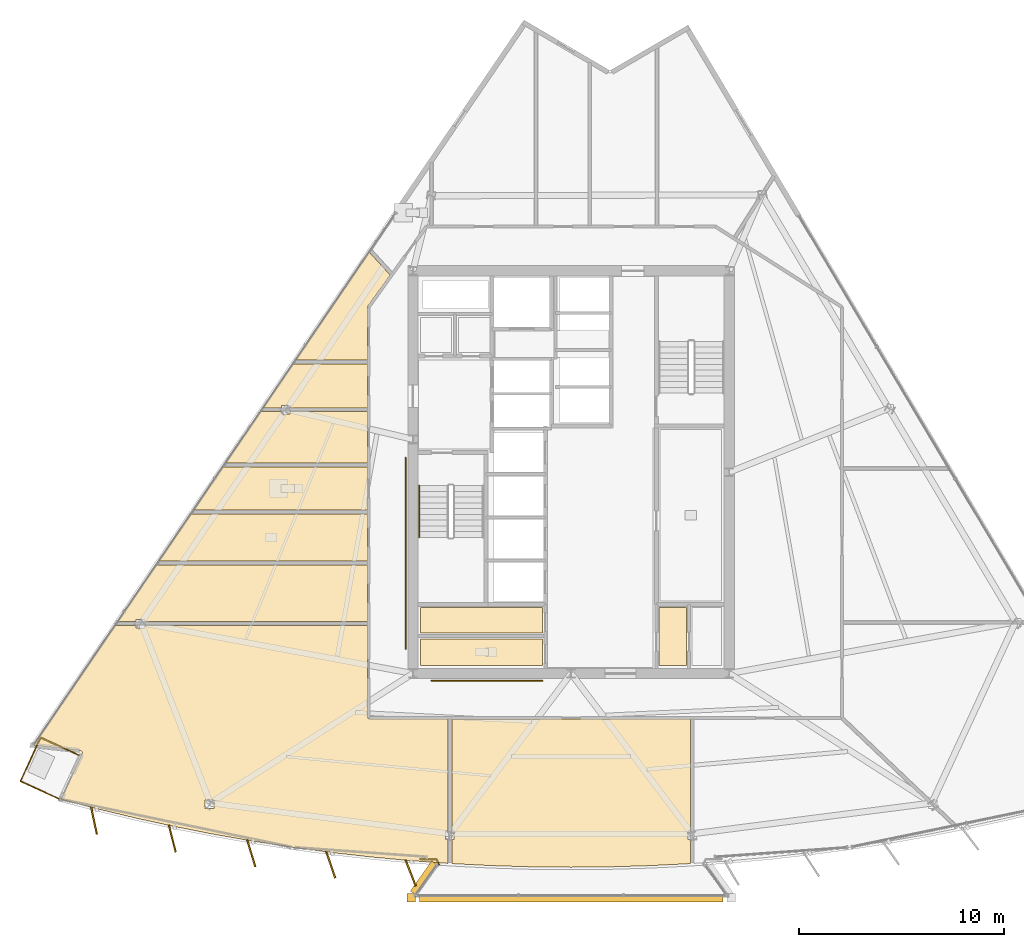
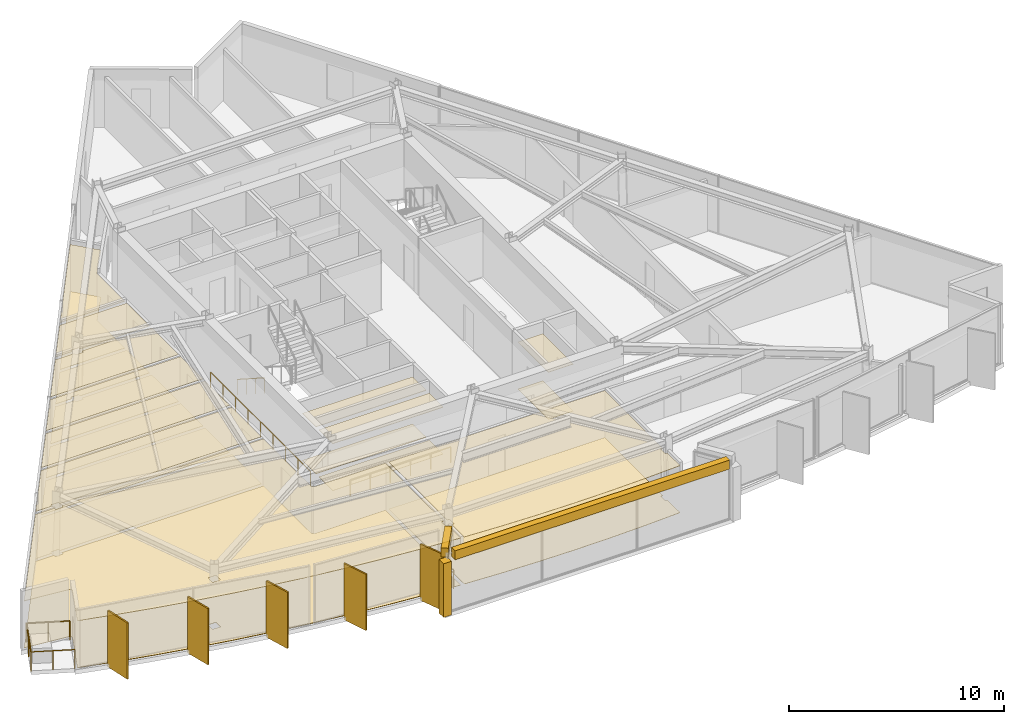
# One storey, part 11 of 15: 25 coverings, 7 railings, 5 shading devices.
"""IFC4 building model written with IfcOpenShell, lengths in metres."""

from ifc_helpers import new_model, si_unit, direction, frame, origin, origin_2d, place, context, subcontext, project, spatial, polyline, rectangle, circle, outline, extrude, material, layer, layer_set, type_object, element, save


model = new_model("IFC4")

# Units and contexts
model_context = context("Model", 3, precision=1e-05, world=origin(), true_north=direction((0.0, 1.0)))
body_context = subcontext(model_context, "Body", "Model", "MODEL_VIEW")
ifc_project = project(units=[si_unit("LENGTHUNIT", "METRE"), si_unit("AREAUNIT", "SQUARE_METRE"), si_unit("VOLUMEUNIT", "CUBIC_METRE"), si_unit("PLANEANGLEUNIT", "RADIAN"), si_unit("MASSUNIT", "GRAM", prefix="KILO")], contexts=[model_context])

# Site, building, storey
site_placement = place(None, origin())
site = spatial("IfcSite", under=ifc_project, at=site_placement, CompositionType="ELEMENT")
building_placement = place(site_placement, origin())
building = spatial("IfcBuilding", under=site, at=building_placement, Name="Savorim Split Tower", CompositionType="ELEMENT")
storey_placement = place(building_placement, frame((0.0, 0.0, 163.800048828125)))
storey = spatial("IfcBuildingStorey", under=building, at=storey_placement, Name="L43", CompositionType="ELEMENT", Elevation=163.800048828125)

# Coverings
ifc_material_1 = material(Name="Mineral Fibre Acoustic Ceiling")
ifc_layer_1 = layer(ifc_material_1, 0.02490234375)
ifc_layer_set_1 = layer_set([ifc_layer_1], Name="COV-CEIL-25")
covering_type_1 = type_object("IfcCoveringType", Name="COV-CEIL-25", PredefinedType="CEILING", material=ifc_layer_set_1)
covering_1_placement = place(storey_placement, frame((0.0, 0.0, 2.669921875)))
element("IfcCovering", 1, at=covering_1_placement, inside=storey, type_object=covering_type_1, Name="L43 Cleaning Store Acoustic Ceiling", PredefinedType="CEILING", context=body_context, shape_type="SweptSolid", body=[
    extrude(outline(polyline([(-7.320068359375, -6.179931640625), (-7.320068359375, -7.43994140625), (-1.3798828125, -7.43994140625), (-1.3798828125, -6.179931640625), (-7.320068359375, -6.179931640625)])), origin(), (0.0, 0.0, 1.0), 0.025146484375),
])
covering_2_placement = place(storey_placement, frame((0.0, 0.0, 2.669921875)))
element("IfcCovering", 2, at=covering_2_placement, inside=storey, type_object=covering_type_1, Name="L43 Public WC Acoustic Ceiling", PredefinedType="CEILING", context=body_context, shape_type="SweptSolid", body=[
    extrude(outline(polyline([(-7.320068359375, -7.719970703125), (-7.320068359375, -9.02001953125), (-1.3798828125, -9.02001953125), (-1.3798828125, -7.719970703125), (-7.320068359375, -7.719970703125)])), origin(), (0.0, 0.0, 1.0), 0.025146484375),
])
covering_3_placement = place(storey_placement, frame((0.0, 0.0, 2.669921875)))
element("IfcCovering", 3, at=covering_3_placement, inside=storey, type_object=covering_type_1, Name="L43 Vending Pantry Acoustic Ceiling", PredefinedType="CEILING", context=body_context, shape_type="SweptSolid", body=[
    extrude(outline(polyline([(4.280029296875, -6.179931640625), (4.280029296875, -9.02001953125), (5.6201171875, -9.02001953125), (5.6201171875, -6.179931640625), (4.280029296875, -6.179931640625)])), origin(), (0.0, 0.0, 1.0), 0.025146484375),
])
covering_4_placement = place(storey_placement, frame((0.0, 0.0, 2.669921875)))
element("IfcCovering", 4, at=covering_4_placement, inside=storey, type_object=covering_type_1, Name="L43 Shared Bathroom Acoustic Ceiling", PredefinedType="CEILING", context=body_context, shape_type="SweptSolid", body=[
    extrude(outline(polyline([(-16.953369140625, 0.65234375), (-18.375244140625, -1.437744140625), (-9.919921875, -1.437744140625), (-9.919921875, 0.65234375), (-16.953369140625, 0.65234375)])), origin(), (0.0, 0.0, 1.0), 0.025146484375),
])
covering_5_placement = place(storey_placement, frame((0.0, 0.0, 2.669921875)))
element("IfcCovering", 5, at=covering_5_placement, inside=storey, type_object=covering_type_1, Name="L43 Shared Kitchen Acoustic Ceiling", PredefinedType="CEILING", context=body_context, shape_type="SweptSolid", body=[
    extrude(outline(polyline([(-18.50439453125, -1.627685546875), (-20.067138671875, -3.9248046875), (-9.919921875, -3.925048828125), (-9.919921875, -1.627685546875), (-18.50439453125, -1.627685546875)])), origin(), (0.0, 0.0, 1.0), 0.025146484375),
])
covering_6_placement = place(storey_placement, frame((0.0, 0.0, 2.669921875)))
element("IfcCovering", 6, at=covering_6_placement, inside=storey, type_object=covering_type_1, Name="L43 Maker Workshop Acoustic Ceiling", PredefinedType="CEILING", context=body_context, shape_type="SweptSolid", body=[
    extrude(outline(polyline([(-20.76611328125, -6.765625), (-20.76611328125, -6.880126953125), (-9.919921875, -6.880126953125), (-9.919921875, -4.114990234375), (-20.1962890625, -4.114990234375), (-22.077392578125, -6.880126953125), (-21.18701171875, -6.880126953125), (-21.18701171875, -6.765625), (-20.76611328125, -6.765625)])), origin(), (0.0, 0.0, 1.0), 0.025146484375),
])
covering_7_placement = place(storey_placement, frame((0.0, 0.0, 2.669921875)))
element("IfcCovering", 7, at=covering_7_placement, inside=storey, type_object=covering_type_1, Name="L43 Co-Working Commons Acoustic Ceiling", PredefinedType="CEILING", context=body_context, shape_type="SweptSolid", body=[
    extrude(outline(polyline([(-23.795166015625, -13.255615234375), (-23.794921875, -13.267578125), (-23.7958984375, -13.279541015625), (-23.798095703125, -13.291259765625), (-23.801513671875, -13.302734375), (-23.805908203125, -13.313720703125), (-24.8232421875, -15.528076171875), (-23.080810546875, -15.98388671875), (-21.19140625, -16.436767578125), (-19.29345703125, -16.85107421875), (-17.38720703125, -17.226318359375), (-15.4736328125, -17.5625), (-13.5537109375, -17.859619140625), (-11.6279296875, -18.1171875), (-9.697509765625, -18.33544921875), (-7.7626953125, -18.51416015625), (-5.993408203125, -18.64111328125), (-5.993408203125, -17.47802734375), (-6.10888671875, -17.47802734375), (-6.10888671875, -17.05908203125), (-5.993408203125, -17.05908203125), (-5.993408203125, -11.6201171875), (-9.780029296875, -11.6201171875), (-9.793701171875, -11.619384765625), (-9.807373046875, -11.6171875), (-9.820556640625, -11.614013671875), (-9.83349609375, -11.609375), (-9.845947265625, -11.603515625), (-9.85791015625, -11.596435546875), (-9.868896484375, -11.588134765625), (-9.87890625, -11.5791015625), (-9.88818359375, -11.56884765625), (-9.896484375, -11.557861328125), (-9.903564453125, -11.5458984375), (-9.9091796875, -11.53369140625), (-9.9140625, -11.5205078125), (-9.917236328125, -11.50732421875), (-9.919189453125, -11.49365234375), (-9.919921875, -11.47998046875), (-9.919921875, -7.070068359375), (-20.76611328125, -7.070068359375), (-20.76611328125, -7.1845703125), (-21.18701171875, -7.1845703125), (-21.18701171875, -7.070068359375), (-22.08154296875, -7.070068359375), (-22.176513671875, -7.070068359375), (-22.176513671875, -7.02587890625), (-26.1669921875, -12.891357421875), (-23.901611328125, -13.144287109375), (-23.889892578125, -13.146484375), (-23.87841796875, -13.1494140625), (-23.8671875, -13.153564453125), (-23.8564453125, -13.158935546875), (-23.84619140625, -13.165283203125), (-23.8369140625, -13.172607421875), (-23.828125, -13.180908203125), (-23.8203125, -13.189697265625), (-23.8134765625, -13.199462890625), (-23.8076171875, -13.2099609375), (-23.802734375, -13.220703125), (-23.799072265625, -13.232177734375), (-23.796630859375, -13.243896484375), (-23.795166015625, -13.255615234375)]), holes=[polyline([(-17.81005859375, -15.9755859375), (-17.38916015625, -15.9755859375), (-17.38916015625, -15.556640625), (-17.81005859375, -15.556640625), (-17.81005859375, -15.9755859375)])]), origin(), (0.0, 0.0, 1.0), 0.025146484375),
])
covering_8_placement = place(storey_placement, frame((0.0, 0.0, 2.669921875)))
element("IfcCovering", 8, at=covering_8_placement, inside=storey, type_object=covering_type_1, Name="L43 Co-Working Commons Acoustic Ceiling", PredefinedType="CEILING", context=body_context, shape_type="SweptSolid", body=[
    extrude(outline(polyline([(-1.942626953125, -18.81201171875), (0.0, -18.83203125), (1.942626953125, -18.81201171875), (3.884765625, -18.75244140625), (5.803466796875, -18.654296875), (5.803466796875, -17.47802734375), (5.68798828125, -17.47802734375), (5.68798828125, -17.05908203125), (5.803466796875, -17.05908203125), (5.803466796875, -11.6201171875), (-5.803466796875, -11.6201171875), (-5.803466796875, -17.05908203125), (-5.68798828125, -17.05908203125), (-5.68798828125, -17.47802734375), (-5.803466796875, -17.47802734375), (-5.803466796875, -18.59765625), (-5.803466796875, -18.654296875), (-3.884765625, -18.75244140625), (-1.942626953125, -18.81201171875)])), origin(), (0.0, 0.0, 1.0), 0.025146484375),
])
covering_9_placement = place(storey_placement, frame((0.0, 0.0, 2.669921875)))
element("IfcCovering", 9, at=covering_9_placement, inside=storey, type_object=covering_type_1, Name="L43 Co-Living Bedroom Acoustic Ceiling", PredefinedType="CEILING", context=body_context, shape_type="SweptSolid", body=[
    extrude(outline(polyline([(-9.908203125, 8.456298828125), (-9.901611328125, 8.46923828125), (-9.893798828125, 8.4814453125), (-8.808349609375, 9.99658203125), (-9.832275390625, 11.1201171875), (-13.4130859375, 5.856201171875), (-9.919921875, 5.856201171875), (-9.919921875, 8.39990234375), (-9.919189453125, 8.41455078125), (-9.9169921875, 8.4287109375), (-9.913330078125, 8.44287109375), (-9.908203125, 8.456298828125)])), origin(), (0.0, 0.0, 1.0), 0.025146484375),
])
covering_10_placement = place(storey_placement, frame((0.0, 0.0, 2.669921875)))
element("IfcCovering", 10, at=covering_10_placement, inside=storey, type_object=covering_type_1, Name="L43 Quiet Study Room Acoustic Ceiling", PredefinedType="CEILING", context=body_context, shape_type="SweptSolid", body=[
    extrude(outline(polyline([(-13.6796875, 3.651123046875), (-13.6796875, 3.53662109375), (-9.919921875, 3.53662109375), (-9.919921875, 5.666259765625), (-13.54248046875, 5.666259765625), (-14.9912109375, 3.53662109375), (-14.1005859375, 3.53662109375), (-14.1005859375, 3.651123046875), (-13.6796875, 3.651123046875)])), origin(), (0.0, 0.0, 1.0), 0.025146484375),
])
covering_11_placement = place(storey_placement, frame((0.0, 0.0, 2.669921875)))
element("IfcCovering", 11, at=covering_11_placement, inside=storey, type_object=covering_type_1, Name="L43 Quiet Study Room Acoustic Ceiling", PredefinedType="CEILING", context=body_context, shape_type="SweptSolid", body=[
    extrude(outline(polyline([(-14.1005859375, 3.3466796875), (-14.995361328125, 3.3466796875), (-15.09033203125, 3.3466796875), (-15.09033203125, 3.390869140625), (-16.823974609375, 0.84228515625), (-9.919921875, 0.84228515625), (-9.919921875, 3.3466796875), (-13.6796875, 3.3466796875), (-13.6796875, 3.232177734375), (-14.1005859375, 3.232177734375), (-14.1005859375, 3.3466796875)])), origin(), (0.0, 0.0, 1.0), 0.025146484375),
])
ifc_material_2 = material(Name="Porcelain Stoneware Flooring", Category="masonry")
ifc_layer_2 = layer(ifc_material_2, 0.02001953125)
ifc_layer_set_2 = layer_set([ifc_layer_2], Name="COV-FLOR-20")
covering_type_2 = type_object("IfcCoveringType", Name="COV-FLOR-20", PredefinedType="FLOORING", material=ifc_layer_set_2)
covering_12_placement = place(storey_placement, origin())
element("IfcCovering", 12, at=covering_12_placement, inside=storey, type_object=covering_type_2, Name="L43 Cleaning Store Porcelain Flooring", PredefinedType="FLOORING", context=body_context, shape_type="SweptSolid", body=[
    extrude(outline(polyline([(-7.320068359375, -6.179931640625), (-7.320068359375, -7.43994140625), (-1.3798828125, -7.43994140625), (-1.3798828125, -6.179931640625), (-7.320068359375, -6.179931640625)])), origin(), (0.0, 0.0, 1.0), 0.02001953125),
])
covering_13_placement = place(storey_placement, origin())
element("IfcCovering", 13, at=covering_13_placement, inside=storey, type_object=covering_type_2, Name="L43 Public WC Porcelain Flooring", PredefinedType="FLOORING", context=body_context, shape_type="SweptSolid", body=[
    extrude(outline(polyline([(-7.320068359375, -7.719970703125), (-7.320068359375, -9.02001953125), (-1.3798828125, -9.02001953125), (-1.3798828125, -7.719970703125), (-7.320068359375, -7.719970703125)])), origin(), (0.0, 0.0, 1.0), 0.02001953125),
])
covering_14_placement = place(storey_placement, origin())
element("IfcCovering", 14, at=covering_14_placement, inside=storey, type_object=covering_type_2, Name="L43 Vending Pantry Porcelain Flooring", PredefinedType="FLOORING", context=body_context, shape_type="SweptSolid", body=[
    extrude(outline(polyline([(4.280029296875, -6.179931640625), (4.280029296875, -9.02001953125), (5.6201171875, -9.02001953125), (5.6201171875, -6.179931640625), (4.280029296875, -6.179931640625)])), origin(), (0.0, 0.0, 1.0), 0.02001953125),
])
covering_15_placement = place(storey_placement, origin())
element("IfcCovering", 15, at=covering_15_placement, inside=storey, type_object=covering_type_2, Name="L43 Shared Bathroom Porcelain Flooring", PredefinedType="FLOORING", context=body_context, shape_type="SweptSolid", body=[
    extrude(outline(polyline([(-16.953369140625, 0.65234375), (-18.375244140625, -1.437744140625), (-9.919921875, -1.437744140625), (-9.919921875, 0.65234375), (-16.953369140625, 0.65234375)])), origin(), (0.0, 0.0, 1.0), 0.02001953125),
])
covering_16_placement = place(storey_placement, origin())
element("IfcCovering", 16, at=covering_16_placement, inside=storey, type_object=covering_type_2, Name="L43 Shared Kitchen Porcelain Flooring", PredefinedType="FLOORING", context=body_context, shape_type="SweptSolid", body=[
    extrude(outline(polyline([(-18.50439453125, -1.627685546875), (-20.067138671875, -3.9248046875), (-9.919921875, -3.925048828125), (-9.919921875, -1.627685546875), (-18.50439453125, -1.627685546875)])), origin(), (0.0, 0.0, 1.0), 0.02001953125),
])
covering_17_placement = place(storey_placement, origin())
element("IfcCovering", 17, at=covering_17_placement, inside=storey, type_object=covering_type_2, Name="L43 Maker Workshop Porcelain Flooring", PredefinedType="FLOORING", context=body_context, shape_type="SweptSolid", body=[
    extrude(outline(polyline([(-20.76611328125, -6.765625), (-20.76611328125, -6.880126953125), (-9.919921875, -6.880126953125), (-9.919921875, -4.114990234375), (-20.1962890625, -4.114990234375), (-22.077392578125, -6.880126953125), (-21.18701171875, -6.880126953125), (-21.18701171875, -6.765625), (-20.76611328125, -6.765625)])), origin(), (0.0, 0.0, 1.0), 0.02001953125),
])
covering_18_placement = place(storey_placement, origin())
element("IfcCovering", 18, at=covering_18_placement, inside=storey, type_object=covering_type_2, Name="L43 Co-Working Commons Porcelain Flooring", PredefinedType="FLOORING", context=body_context, shape_type="SweptSolid", body=[
    extrude(outline(polyline([(-23.795166015625, -13.255615234375), (-23.794921875, -13.267578125), (-23.7958984375, -13.279541015625), (-23.798095703125, -13.291259765625), (-23.801513671875, -13.302734375), (-23.805908203125, -13.313720703125), (-24.8232421875, -15.528076171875), (-23.080810546875, -15.98388671875), (-21.19140625, -16.436767578125), (-19.29345703125, -16.85107421875), (-17.38720703125, -17.226318359375), (-15.4736328125, -17.5625), (-13.5537109375, -17.859619140625), (-11.6279296875, -18.1171875), (-9.697509765625, -18.33544921875), (-7.7626953125, -18.51416015625), (-5.993408203125, -18.64111328125), (-5.993408203125, -17.47802734375), (-6.10888671875, -17.47802734375), (-6.10888671875, -17.05908203125), (-5.993408203125, -17.05908203125), (-5.993408203125, -11.6201171875), (-9.780029296875, -11.6201171875), (-9.793701171875, -11.619384765625), (-9.807373046875, -11.6171875), (-9.820556640625, -11.614013671875), (-9.83349609375, -11.609375), (-9.845947265625, -11.603515625), (-9.85791015625, -11.596435546875), (-9.868896484375, -11.588134765625), (-9.87890625, -11.5791015625), (-9.88818359375, -11.56884765625), (-9.896484375, -11.557861328125), (-9.903564453125, -11.5458984375), (-9.9091796875, -11.53369140625), (-9.9140625, -11.5205078125), (-9.917236328125, -11.50732421875), (-9.919189453125, -11.49365234375), (-9.919921875, -11.47998046875), (-9.919921875, -7.070068359375), (-20.76611328125, -7.070068359375), (-20.76611328125, -7.1845703125), (-21.18701171875, -7.1845703125), (-21.18701171875, -7.070068359375), (-22.08154296875, -7.070068359375), (-22.176513671875, -7.070068359375), (-22.176513671875, -7.02587890625), (-26.1669921875, -12.891357421875), (-23.901611328125, -13.144287109375), (-23.889892578125, -13.146484375), (-23.87841796875, -13.1494140625), (-23.8671875, -13.153564453125), (-23.8564453125, -13.158935546875), (-23.84619140625, -13.165283203125), (-23.8369140625, -13.172607421875), (-23.828125, -13.180908203125), (-23.8203125, -13.189697265625), (-23.8134765625, -13.199462890625), (-23.8076171875, -13.2099609375), (-23.802734375, -13.220703125), (-23.799072265625, -13.232177734375), (-23.796630859375, -13.243896484375), (-23.795166015625, -13.255615234375)]), holes=[polyline([(-17.81005859375, -15.9755859375), (-17.38916015625, -15.9755859375), (-17.38916015625, -15.556640625), (-17.81005859375, -15.556640625), (-17.81005859375, -15.9755859375)])]), origin(), (0.0, 0.0, 1.0), 0.02001953125),
])
covering_19_placement = place(storey_placement, origin())
element("IfcCovering", 19, at=covering_19_placement, inside=storey, type_object=covering_type_2, Name="L43 Co-Working Commons Porcelain Flooring", PredefinedType="FLOORING", context=body_context, shape_type="SweptSolid", body=[
    extrude(outline(polyline([(-1.942626953125, -18.81201171875), (0.0, -18.83203125), (1.942626953125, -18.81201171875), (3.884765625, -18.75244140625), (5.803466796875, -18.654296875), (5.803466796875, -17.47802734375), (5.68798828125, -17.47802734375), (5.68798828125, -17.05908203125), (5.803466796875, -17.05908203125), (5.803466796875, -11.6201171875), (-5.803466796875, -11.6201171875), (-5.803466796875, -17.05908203125), (-5.68798828125, -17.05908203125), (-5.68798828125, -17.47802734375), (-5.803466796875, -17.47802734375), (-5.803466796875, -18.59765625), (-5.803466796875, -18.654296875), (-3.884765625, -18.75244140625), (-1.942626953125, -18.81201171875)])), origin(), (0.0, 0.0, 1.0), 0.02001953125),
])
covering_20_placement = place(storey_placement, origin())
element("IfcCovering", 20, at=covering_20_placement, inside=storey, type_object=covering_type_2, Name="L43 Co-Living Bedroom Porcelain Flooring", PredefinedType="FLOORING", context=body_context, shape_type="SweptSolid", body=[
    extrude(outline(polyline([(-9.908203125, 8.456298828125), (-9.901611328125, 8.46923828125), (-9.893798828125, 8.4814453125), (-8.808349609375, 9.99658203125), (-9.832275390625, 11.1201171875), (-13.4130859375, 5.856201171875), (-9.919921875, 5.856201171875), (-9.919921875, 8.39990234375), (-9.919189453125, 8.41455078125), (-9.9169921875, 8.4287109375), (-9.913330078125, 8.44287109375), (-9.908203125, 8.456298828125)])), origin(), (0.0, 0.0, 1.0), 0.02001953125),
])
covering_21_placement = place(storey_placement, origin())
element("IfcCovering", 21, at=covering_21_placement, inside=storey, type_object=covering_type_2, Name="L43 Quiet Study Room Porcelain Flooring", PredefinedType="FLOORING", context=body_context, shape_type="SweptSolid", body=[
    extrude(outline(polyline([(-13.6796875, 3.651123046875), (-13.6796875, 3.53662109375), (-9.919921875, 3.53662109375), (-9.919921875, 5.666259765625), (-13.54248046875, 5.666259765625), (-14.9912109375, 3.53662109375), (-14.1005859375, 3.53662109375), (-14.1005859375, 3.651123046875), (-13.6796875, 3.651123046875)])), origin(), (0.0, 0.0, 1.0), 0.02001953125),
])
covering_22_placement = place(storey_placement, origin())
element("IfcCovering", 22, at=covering_22_placement, inside=storey, type_object=covering_type_2, Name="L43 Quiet Study Room Porcelain Flooring", PredefinedType="FLOORING", context=body_context, shape_type="SweptSolid", body=[
    extrude(outline(polyline([(-14.1005859375, 3.3466796875), (-14.995361328125, 3.3466796875), (-15.09033203125, 3.3466796875), (-15.09033203125, 3.390869140625), (-16.823974609375, 0.84228515625), (-9.919921875, 0.84228515625), (-9.919921875, 3.3466796875), (-13.6796875, 3.3466796875), (-13.6796875, 3.232177734375), (-14.1005859375, 3.232177734375), (-14.1005859375, 3.3466796875)])), origin(), (0.0, 0.0, 1.0), 0.02001953125),
])
ifc_material_3 = material(Name="White Porcelain Architectural Cladding")
ifc_layer_3 = layer(ifc_material_3, 0.139892578125)
ifc_layer_set_3 = layer_set([ifc_layer_3], Name="COV-FRM-WHITE")
covering_type_3 = type_object("IfcCoveringType", Name="COV-FRM-WHITE", PredefinedType="CLADDING", material=ifc_layer_set_3)
covering_23_placement = place(storey_placement, frame((0.0, 0.0, 3.079833984375)))
element("IfcCovering", 23, at=covering_23_placement, inside=storey, type_object=covering_type_3, Name="L43 Cantilevered Lounge White Upper Cornice Band W", PredefinedType="CLADDING", context=body_context, shape_type="SweptSolid", body=[
    extrude(outline(polyline([(-6.7822265625, -18.520751953125), (-7.828125, -19.985595703125), (-7.551513671875, -20.18310546875), (-6.505615234375, -18.71826171875), (-6.7822265625, -18.520751953125)])), origin(), (0.0, 0.0, 1.0), 0.510009765625),
])
covering_24_placement = place(storey_placement, frame((0.0, 0.0, 3.079833984375)))
element("IfcCovering", 24, at=covering_24_placement, inside=storey, type_object=covering_type_3, Name="L43 Cantilevered Lounge White Upper Cornice Band F", PredefinedType="CLADDING", context=body_context, shape_type="SweptSolid", body=[
    extrude(outline(polyline([(-7.388671875, -20.52880859375), (7.388671875, -20.52880859375), (7.388671875, -20.188720703125), (-7.388671875, -20.188720703125), (-7.388671875, -20.52880859375)])), origin(), (0.0, 0.0, 1.0), 0.510009765625),
])
covering_25_placement = place(storey_placement, frame((0.0, 0.0, 0.010009765625)))
element("IfcCovering", 25, at=covering_25_placement, inside=storey, type_object=covering_type_3, Name="L43 Cantilevered Lounge White Frame Corner Post 1", PredefinedType="CLADDING", context=body_context, shape_type="SweptSolid", body=[
    extrude(outline(polyline([(-7.99853515625, -20.518798828125), (-7.57861328125, -20.518798828125), (-7.57861328125, -20.0986328125), (-7.99853515625, -20.0986328125), (-7.99853515625, -20.518798828125)])), origin(), (0.0, 0.0, 1.0), 3.050048828125),
])

# Railings
ifc_material_4 = material(Name="Galvanised Painted Steel Balustrade", Category="steel")
railing_type_1 = type_object("IfcRailingType", Name="RLG-BAL-1100", PredefinedType="BALUSTRADE", material=ifc_material_4)
railing_1_placement = place(storey_placement, frame((-7.336669921875, -18.433349609375, 0.0)))
element("IfcRailing", 26, at=railing_1_placement, inside=storey, type_object=railing_type_1, Name="L43 Cantilevered Lounge West Edge Closure Guard", PredefinedType="BALUSTRADE", context=body_context, shape_type="SweptSolid", body=[
    extrude(circle(Radius=0.02392578125, at=origin_2d()), frame((0.0, 0.0, 1.076171875), z_axis=(1.0, 0.0, 0.0), x_axis=(0.0, 1.0, 0.0)), (0.0, 0.0, 1.0), 0.780029296875),
    extrude(circle(Radius=0.02392578125, at=origin_2d()), frame((0.780029296875, 0.0, 1.076171875), z_axis=(0.442398453427, -0.896818603958, 0.0), x_axis=(0.896818603958, 0.442398453427, 0.0)), (0.0, 0.0, 1.0), 0.3046875),
    extrude(circle(Radius=0.02099609375, at=origin_2d()), origin(), (0.0, 0.0, 1.0), 1.052001953125),
    extrude(circle(Radius=0.02099609375, at=origin_2d()), frame((0.780029296875, 0.0, 0.0)), (0.0, 0.0, 1.0), 1.052001953125),
    extrude(circle(Radius=0.02099609375, at=origin_2d()), frame((0.914794921875, -0.273193359375, 0.0)), (0.0, 0.0, 1.0), 1.052001953125),
])
railing_2_placement = place(storey_placement, frame((-24.94189453125, -15.4990234375, 0.0)))
element("IfcRailing", 27, at=railing_2_placement, inside=storey, type_object=railing_type_1, Name="L43 Tree Balcony Guardrail SW-1", PredefinedType="BALUSTRADE", context=body_context, shape_type="SweptSolid", body=[
    extrude(circle(Radius=0.02392578125, at=origin_2d()), frame((0.0, 0.0, 1.076171875), z_axis=(-0.908662190505, 0.417532062898, 0.0), x_axis=(-0.417532062898, -0.908662190505, 0.0)), (0.0, 0.0, 1.0), 2.050048828125),
    extrude(circle(Radius=0.02099609375, at=origin_2d()), origin(), (0.0, 0.0, 1.0), 1.052001953125),
    extrude(circle(Radius=0.02099609375, at=origin_2d()), frame((-0.931396484375, 0.427978515625, 0.0)), (0.0, 0.0, 1.0), 1.052001953125),
    extrude(circle(Radius=0.02099609375, at=origin_2d()), frame((-1.86279296875, 0.85595703125, 0.0)), (0.0, 0.0, 1.0), 1.052001953125),
])
railing_3_placement = place(storey_placement, frame((-26.8046875, -14.64306640625, 0.0)))
element("IfcRailing", 28, at=railing_3_placement, inside=storey, type_object=railing_type_1, Name="L43 Tree Balcony Guardrail SW-2", PredefinedType="BALUSTRADE", context=body_context, shape_type="SweptSolid", body=[
    extrude(circle(Radius=0.02392578125, at=origin_2d()), frame((0.0, 0.0, 1.076171875), z_axis=(0.417462916031, 0.908693960439, 0.0), x_axis=(-0.908693960439, 0.417462916031, 0.0)), (0.0, 0.0, 1.0), 2.33984375),
    extrude(circle(Radius=0.02099609375, at=origin_2d()), origin(), (0.0, 0.0, 1.0), 1.052001953125),
    extrude(circle(Radius=0.02099609375, at=origin_2d()), frame((0.48828125, 1.06298828125, 0.0)), (0.0, 0.0, 1.0), 1.052001953125),
    extrude(circle(Radius=0.02099609375, at=origin_2d()), frame((0.976806640625, 2.126220703125, 0.0)), (0.0, 0.0, 1.0), 1.052001953125),
])
railing_4_placement = place(storey_placement, frame((-25.827880859375, -12.516845703125, 0.0)))
element("IfcRailing", 29, at=railing_4_placement, inside=storey, type_object=railing_type_1, Name="L43 Tree Balcony Guardrail SW-3", PredefinedType="BALUSTRADE", context=body_context, shape_type="SweptSolid", body=[
    extrude(circle(Radius=0.02392578125, at=origin_2d()), frame((0.0, 0.0, 1.076171875), z_axis=(0.908662190505, -0.417532062898, 0.0), x_axis=(0.417532062898, 0.908662190505, 0.0)), (0.0, 0.0, 1.0), 2.050048828125),
    extrude(circle(Radius=0.02099609375, at=origin_2d()), origin(), (0.0, 0.0, 1.0), 1.052001953125),
    extrude(circle(Radius=0.02099609375, at=origin_2d()), frame((0.931396484375, -0.427978515625, 0.0)), (0.0, 0.0, 1.0), 1.052001953125),
    extrude(circle(Radius=0.02099609375, at=origin_2d()), frame((1.86279296875, -0.85595703125, 0.0)), (0.0, 0.0, 1.0), 1.052001953125),
])
railing_type_2 = type_object("IfcRailingType", Name="RLG-HR-900", PredefinedType="HANDRAIL", material=ifc_material_4)
railing_5_placement = place(storey_placement, frame((-7.39990234375, -0.25, 0.179931640625)))
element("IfcRailing", 30, at=railing_5_placement, inside=storey, type_object=railing_type_2, Name="L43 ST-1 stair handrail 1", PredefinedType="HANDRAIL", context=body_context, shape_type="SweptSolid", body=[
    extrude(circle(Radius=0.02392578125, at=origin_2d()), frame((0.0, 0.0, 0.8759765625), z_axis=(0.0, -0.841162588446, 0.540782303519), x_axis=(1.0, 0.0, 0.0)), (0.0, 0.0, 1.0), 2.995849609375),
    extrude(circle(Radius=0.02099609375, at=origin_2d()), origin(), (0.0, 0.0, 1.0), 0.851806640625),
    extrude(circle(Radius=0.02099609375, at=origin_2d()), frame((0.0, -0.840087890625, 0.5400390625)), (0.0, 0.0, 1.0), 0.851806640625),
    extrude(circle(Radius=0.02099609375, at=origin_2d()), frame((0.0, -1.679931640625, 1.080078125)), (0.0, 0.0, 1.0), 0.851806640625),
    extrude(circle(Radius=0.02099609375, at=origin_2d()), frame((0.0, -2.52001953125, 1.6201171875)), (0.0, 0.0, 1.0), 0.851806640625),
])
railing_6_placement = place(storey_placement, frame((-6.800048828125, -9.75, 0.0)))
element("IfcRailing", 31, at=railing_6_placement, inside=storey, type_object=railing_type_2, Name="L43 Corridor South Accessible Handrail", PredefinedType="HANDRAIL", context=body_context, shape_type="SweptSolid", body=[
    extrude(circle(Radius=0.02392578125, at=origin_2d()), frame((0.0, 0.0, 0.8759765625), z_axis=(1.0, 0.0, 0.0), x_axis=(0.0, 1.0, 0.0)), (0.0, 0.0, 1.0), 5.400146484375),
    extrude(circle(Radius=0.02099609375, at=origin_2d()), origin(), (0.0, 0.0, 1.0), 0.851806640625),
    extrude(circle(Radius=0.02099609375, at=origin_2d()), frame((1.080078125, 0.0, 0.0)), (0.0, 0.0, 1.0), 0.851806640625),
    extrude(circle(Radius=0.02099609375, at=origin_2d()), frame((2.16015625, 0.0, 0.0)), (0.0, 0.0, 1.0), 0.851806640625),
    extrude(circle(Radius=0.02099609375, at=origin_2d()), frame((3.239990234375, 0.0, 0.0)), (0.0, 0.0, 1.0), 0.851806640625),
    extrude(circle(Radius=0.02099609375, at=origin_2d()), frame((4.320068359375, 0.0, 0.0)), (0.0, 0.0, 1.0), 0.851806640625),
    extrude(circle(Radius=0.02099609375, at=origin_2d()), frame((5.400146484375, 0.0, 0.0)), (0.0, 0.0, 1.0), 0.851806640625),
])
railing_7_placement = place(storey_placement, frame((-8.050048828125, -8.199951171875, 0.0)))
element("IfcRailing", 32, at=railing_7_placement, inside=storey, type_object=railing_type_2, Name="L43 Corridor West Accessible Handrail", PredefinedType="HANDRAIL", context=body_context, shape_type="SweptSolid", body=[
    extrude(circle(Radius=0.02392578125, at=origin_2d()), frame((0.0, 0.0, 0.8759765625), z_axis=(0.0, 1.0, 0.0), x_axis=(-1.0, 0.0, 0.0)), (0.0, 0.0, 1.0), 9.300048828125),
    extrude(circle(Radius=0.02099609375, at=origin_2d()), origin(), (0.0, 0.0, 1.0), 0.851806640625),
    extrude(circle(Radius=0.02099609375, at=origin_2d()), frame((0.0, 1.16259765625, 0.0)), (0.0, 0.0, 1.0), 0.851806640625),
    extrude(circle(Radius=0.02099609375, at=origin_2d()), frame((0.0, 2.324951171875, 0.0)), (0.0, 0.0, 1.0), 0.851806640625),
    extrude(circle(Radius=0.02099609375, at=origin_2d()), frame((0.0, 3.487548828125, 0.0)), (0.0, 0.0, 1.0), 0.851806640625),
    extrude(circle(Radius=0.02099609375, at=origin_2d()), frame((0.0, 4.64990234375, 0.0)), (0.0, 0.0, 1.0), 0.851806640625),
    extrude(circle(Radius=0.02099609375, at=origin_2d()), frame((0.0, 5.8125, 0.0)), (0.0, 0.0, 1.0), 0.851806640625),
    extrude(circle(Radius=0.02099609375, at=origin_2d()), frame((0.0, 6.97509765625, 0.0)), (0.0, 0.0, 1.0), 0.851806640625),
    extrude(circle(Radius=0.02099609375, at=origin_2d()), frame((0.0, 8.137451171875, 0.0)), (0.0, 0.0, 1.0), 0.851806640625),
    extrude(circle(Radius=0.02099609375, at=origin_2d()), frame((0.0, 9.300048828125, 0.0)), (0.0, 0.0, 1.0), 0.851806640625),
])

# Shading devices
ifc_material_5 = material(Name="Terracotta Ceramic-Coated Aluminium Fin", Category="masonry")
shading_device_type = type_object("IfcShadingDeviceType", Name="SHD-FIN-1360", PredefinedType="USERDEFINED", material=ifc_material_5)
for number, where, z_axis, x_axis, name in (
    (33, (-23.2255859375, -16.56201171875, -0.2001953125), (0.0, 0.0, 1.0), (0.206721626106, -0.978399800337, 0.0), "L43 Sawtooth Shading Fin 01"),
    (34, (-19.41455078125, -17.4345703125, -0.2001953125), (0.0, 0.0, 1.0), (0.246581250663, -0.969122121727, 0.0), "L43 Sawtooth Shading Fin 02"),
    (35, (-15.57080078125, -18.150634765625, -0.2001953125), (0.0, 0.0, 1.0), (0.286026212504, -0.958221793616, 0.0), "L43 Sawtooth Shading Fin 03"),
    (36, (-11.700927734375, -18.708740234375, -0.2001953125), (0.0, 0.0, 1.0), (0.324993810493, -0.945716143005, 0.0), "L43 Sawtooth Shading Fin 04"),
    (37, (-7.8115234375, -19.108154296875, -0.2001953125), (0.0, 0.0, 1.0), (0.363415461732, -0.931627179817, 0.0), "L43 Sawtooth Shading Fin 05"),
):
    element("IfcShadingDevice", number, at=place(storey_placement, frame(where, z_axis=z_axis, x_axis=x_axis)), inside=storey, type_object=shading_device_type, Name=name, ObjectType="FIN", PredefinedType="USERDEFINED", context=body_context, shape_type="SweptSolid", body=[
        extrude(rectangle(XDim=1.360107421875, YDim=0.080078125, at=origin_2d()), origin(), (0.0, 0.0, 1.0), 3.199951171875),
    ])

save(model, "model.ifc")
